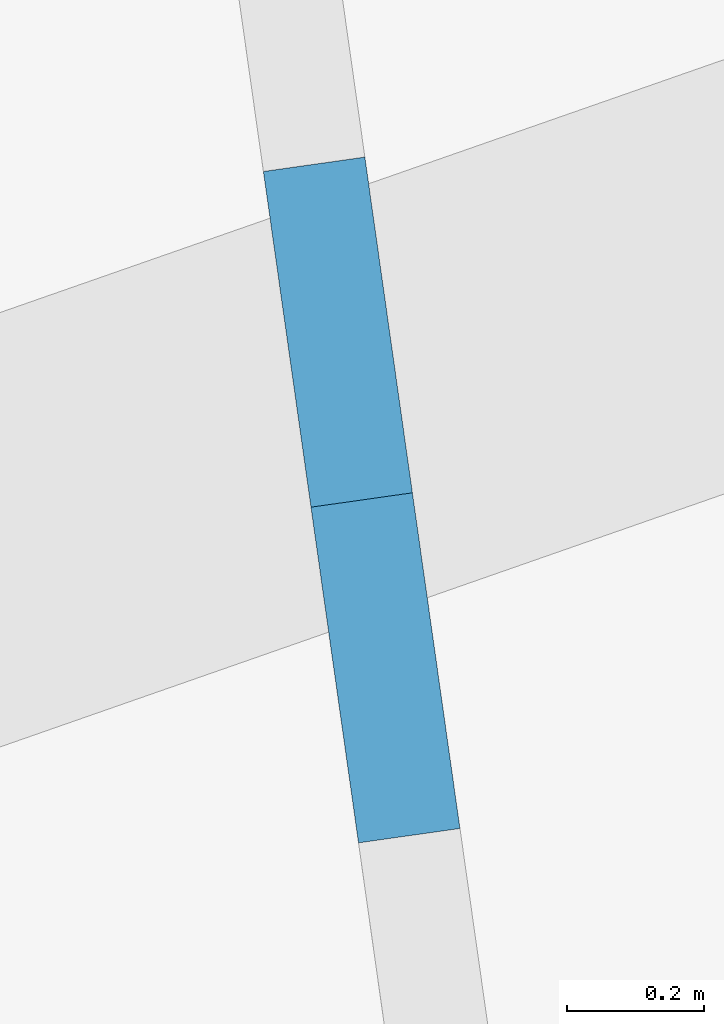
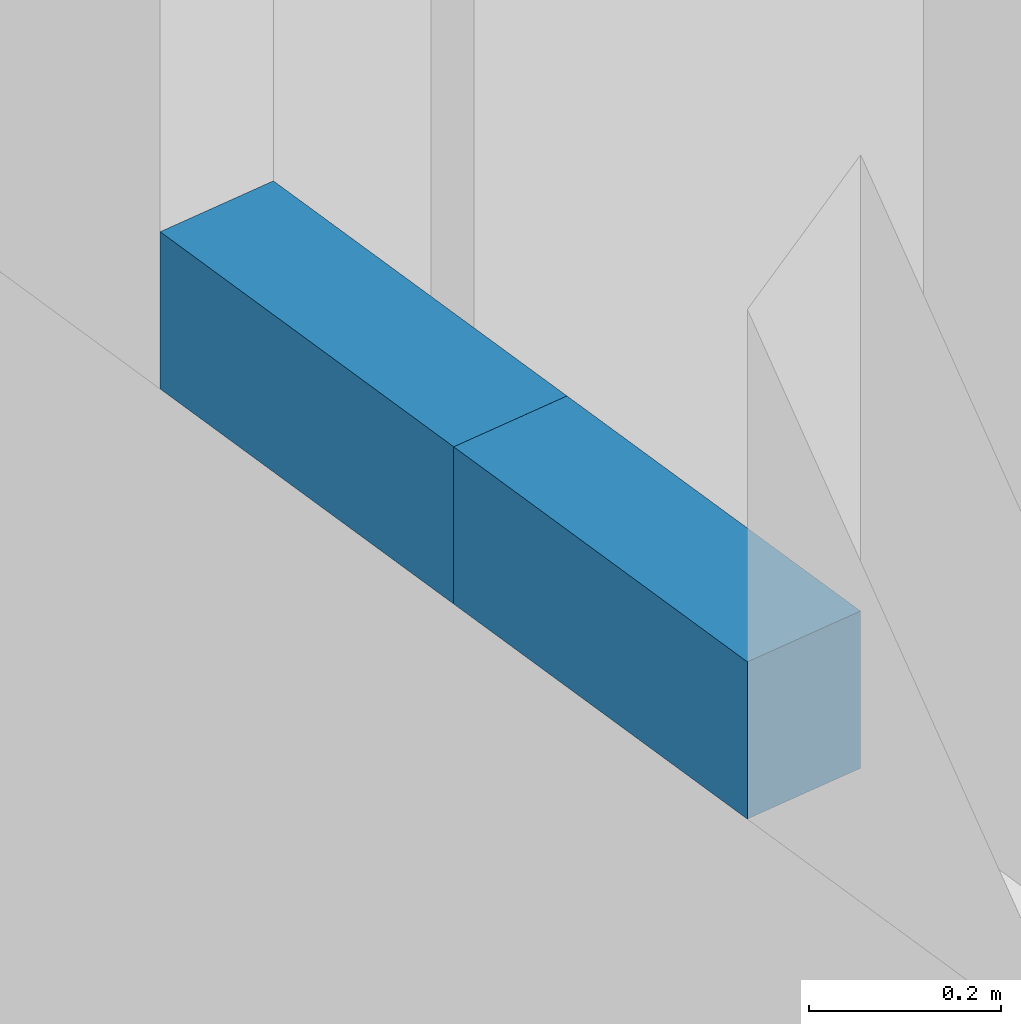
# One storey, part 203 of 271: 2 walls.
"""IFC4 building model written with IfcOpenShell, lengths in metres."""

from ifc_helpers import new_model, si_unit, direction, frame, frame_2d, origin, place, context, subcontext, project, spatial, rectangle, extrude, material, layer, layer_set, type_object, element, save


model = new_model("IFC4")

# Units and contexts
model_context = context("Model", 3, precision=1e-05, world=origin(), true_north=direction((0.0, 1.0)))
body_context = subcontext(model_context, "Body", "Model", "MODEL_VIEW")
ifc_project = project(units=[si_unit("LENGTHUNIT", "METRE"), si_unit("AREAUNIT", "SQUARE_METRE"), si_unit("VOLUMEUNIT", "CUBIC_METRE"), si_unit("PLANEANGLEUNIT", "RADIAN"), si_unit("MASSUNIT", "GRAM", prefix="KILO")], contexts=[model_context])

# Site, building, storey
site_placement = place(None, origin())
site = spatial("IfcSite", under=ifc_project, at=site_placement, CompositionType="ELEMENT")
building_placement = place(site_placement, origin())
building = spatial("IfcBuilding", under=site, at=building_placement, Name="Meseta Stadium", CompositionType="ELEMENT")
storey_placement = place(building_placement, frame((0.0, 0.0, 6.5)))
storey = spatial("IfcBuildingStorey", under=building, at=storey_placement, Name="L01", CompositionType="ELEMENT", Elevation=6.5)

# Walls
ifc_material = material(Name="Masonry blockwork", Category="masonry")
ifc_layer = layer(ifc_material, 0.14990234375)
ifc_layer_set = layer_set([ifc_layer], Name="Partition 150")
wall_type = type_object("IfcWallType", Name="Partition 150", PredefinedType="PARTITIONING", material=ifc_layer_set)
for number, where, z_axis, x_axis, name in (
    (1, (-57.24462890625, 88.4111328125, 4.050048828125), (0.0, 0.0, 1.0), (0.140250046348, -0.990116116675, 0.0), "Stair vestibule wall L01 core 12"),
    (2, (-57.175048828125, 87.919921875, 4.050048828125), (0.0, 0.0, 1.0), (0.140250046348, -0.990116116675, 0.0), "Stair vestibule wall L01 core 12"),
):
    element("IfcWall", number, at=place(storey_placement, frame(where, z_axis=z_axis, x_axis=x_axis)), inside=storey, type_object=wall_type, Name=name, PredefinedType="PARTITIONING", context=body_context, shape_type="SweptSolid", body=[
        extrude(rectangle(XDim=0.49609375, YDim=0.14990234375, at=frame_2d((0.248046875, 0.0))), origin(), (0.0, 0.0, 1.0), 0.199951171875),
    ])

save(model, "model.ifc")
